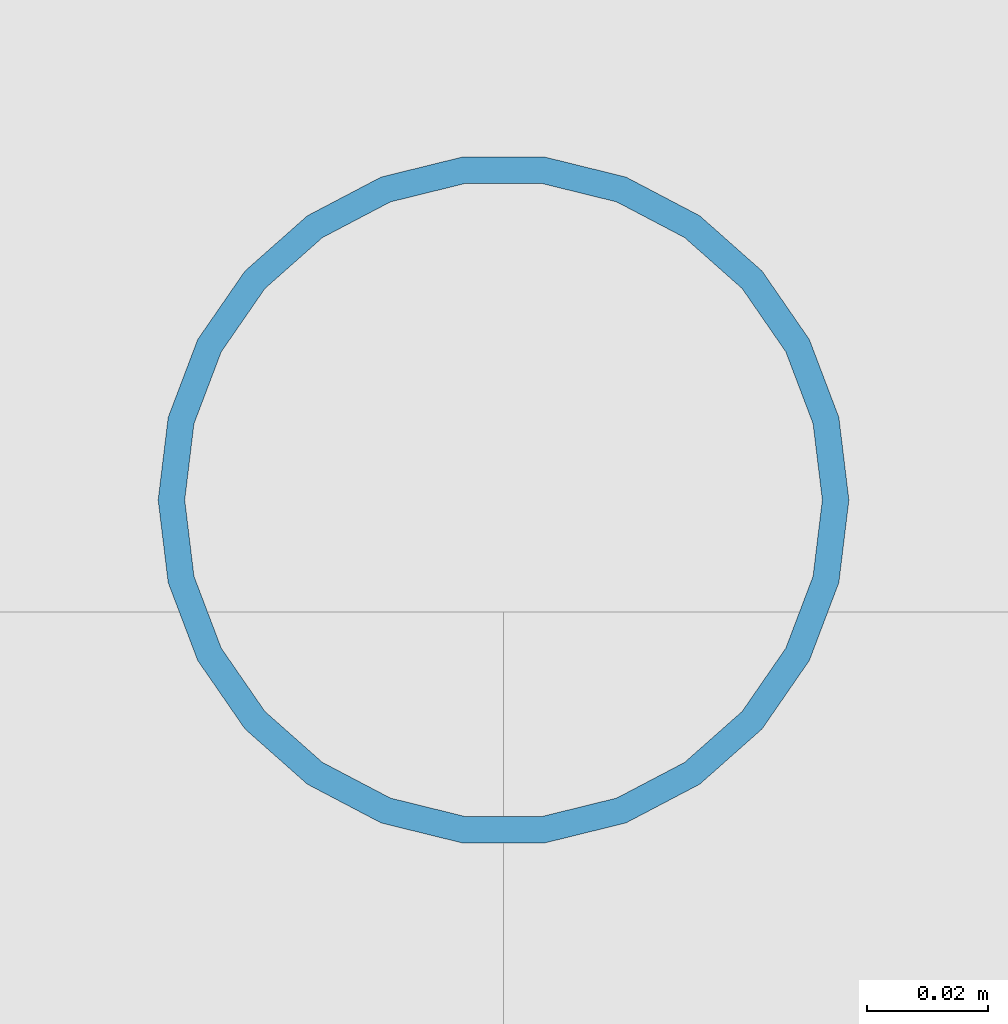
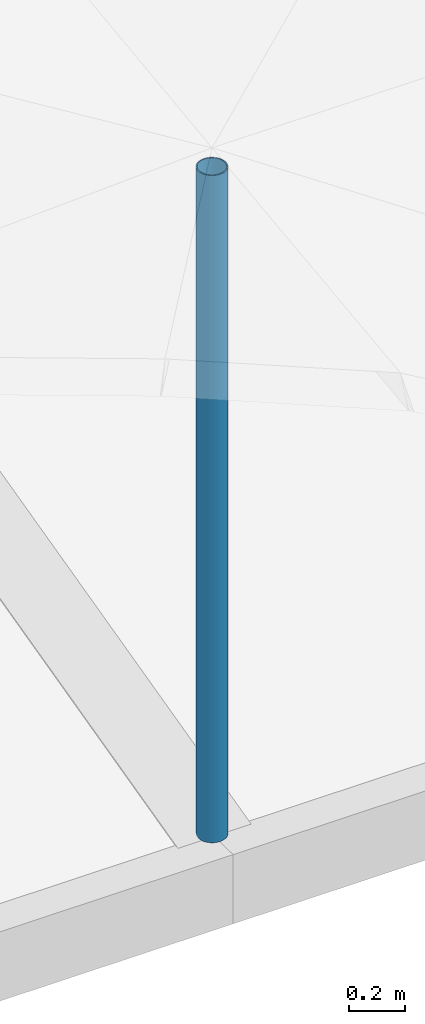
# One storey, part 36 of 111: 1 discrete accessory.
"""IFC4 building model written with IfcOpenShell, lengths in metres."""

from ifc_helpers import new_model, si_unit, direction, frame, origin, origin_2d, place, context, subcontext, project, spatial, hollow_circle, extrude, material, material_profile, profile_set, type_object, element, save


model = new_model("IFC4")

# Units and contexts
model_context = context("Model", 3, precision=1e-05, world=origin(), true_north=direction((0.0, 1.0)))
body_context = subcontext(model_context, "Body", "Model", "MODEL_VIEW")
ifc_project = project(units=[si_unit("LENGTHUNIT", "METRE"), si_unit("AREAUNIT", "SQUARE_METRE"), si_unit("VOLUMEUNIT", "CUBIC_METRE"), si_unit("PLANEANGLEUNIT", "RADIAN"), si_unit("MASSUNIT", "GRAM", prefix="KILO")], contexts=[model_context])

# Site, building, storey
site_placement = place(None, origin())
site = spatial("IfcSite", under=ifc_project, at=site_placement, CompositionType="ELEMENT")
building_placement = place(site_placement, origin())
building = spatial("IfcBuilding", under=site, at=building_placement, Name="Rain Tree Exposition and Congress Centre", CompositionType="ELEMENT")
storey_placement = place(building_placement, frame((0.0, 0.0, 19.5)))
storey = spatial("IfcBuildingStorey", under=building, at=storey_placement, Name="RF", CompositionType="ELEMENT", Elevation=19.5)

# Discrete accessory
ifc_material = material(Name="Steel S355J2H", Category="steel")
ifc_material_profile = material_profile(ifc_material, hollow_circle(Radius=0.05712890625, WallThickness=0.00439453125, at=origin_2d()), Name="CHS 114x4.5")
ifc_profile_set = profile_set([ifc_material_profile], Name="Steel S355J2H")
discrete_accessory_type = type_object("IfcDiscreteAccessoryType", Name="Roof skin post CHS 114x4.5", PredefinedType="BRACKET", material=ifc_profile_set)
discrete_accessory_placement = place(storey_placement, frame((117.60009765625, 109.199951171875, 1.11669921875), z_axis=(0.0, 0.0, 1.0), x_axis=(1.0, 0.0, 0.0)))
element("IfcDiscreteAccessory", 1, at=discrete_accessory_placement, inside=storey, type_object=discrete_accessory_type, Name="Roof skin post A29", PredefinedType="BRACKET", context=body_context, shape_type="SweptSolid", body=[
    extrude(hollow_circle(Radius=0.05712890625, WallThickness=0.00439453125, at=origin_2d()), origin(), (0.0, 0.0, 1.0), 2.890380859375),
])

save(model, "model.ifc")
